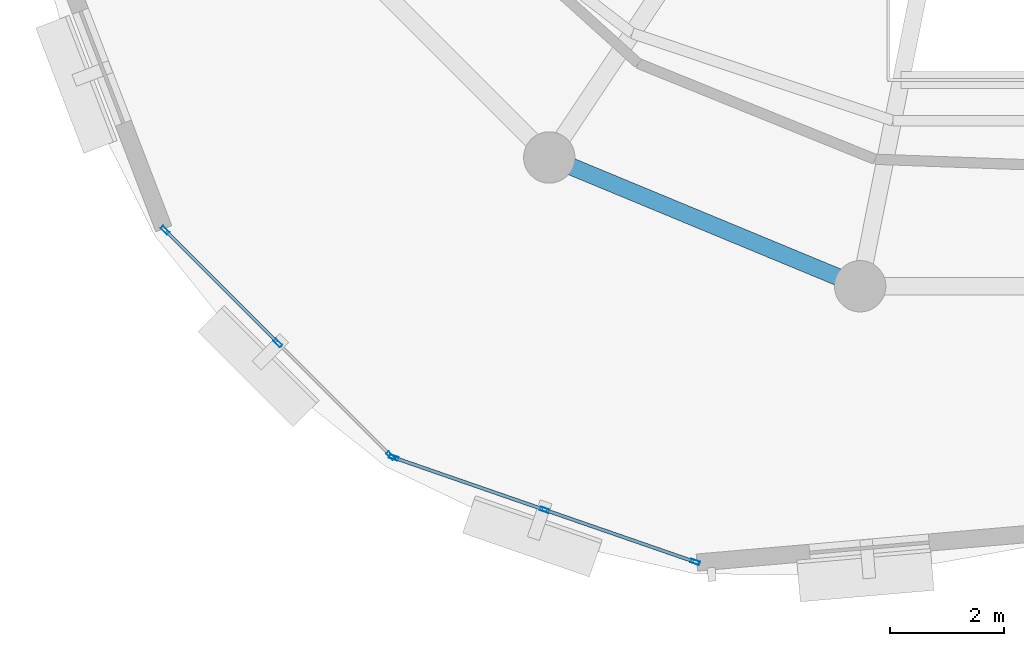
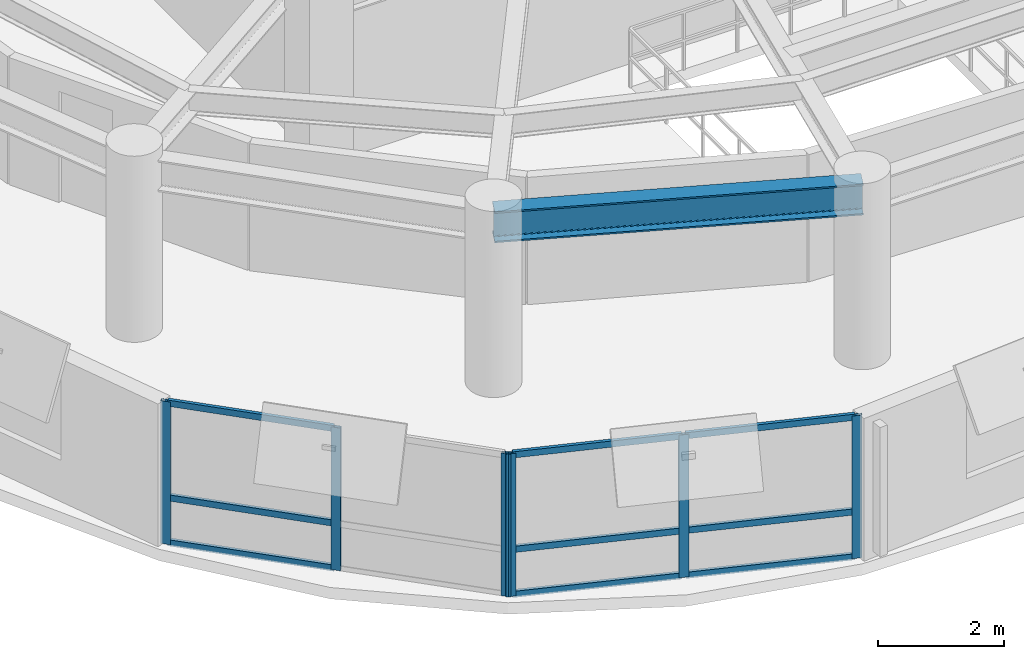
# One storey, part 2 of 11: 15 members, 1 beam, 2 elements without a shape of their own.
"""IFC4 building model written with IfcOpenShell, lengths in metres."""

import ifcopenshell
import ifcopenshell.guid

model = None  # the IFC model being written
_history = None  # IfcOwnerHistory: only IFC2X3 demands one
_inside = {}  # id of a spatial element -> (the spatial element, [elements in it])
_under = {}  # id of a project, library or spatial element -> (it, [spatial elements below it])
_declared = {}  # id of a project -> (the project, [libraries it declares])
_typed = {}  # id of a type object -> (the type object, [elements of that type])
_made_of = {}  # id of a material, layer set ... -> (it, [elements and type objects made of it])


def new_model(schema):
    """Start an empty IFC model of exactly this schema.

    Asked for "IFC4X3", IfcOpenShell would pick the latest addendum, in which some entities
    have other attributes; the version numbers below select the first issue.
    IFC2X3 requires an IfcOwnerHistory on every rooted entity: one is made here for all.
    """
    global model, _history
    if schema == "IFC4X3":
        model = ifcopenshell.file(schema_version=(4, 3, 0, 0))
    else:
        model = ifcopenshell.file(schema=schema)
    _inside.clear()
    _under.clear()
    _declared.clear()
    _typed.clear()
    _made_of.clear()
    _history = None
    if model.schema == "IFC2X3":
        org = make("IfcOrganization", Name="unknown")
        user = make(
            "IfcPersonAndOrganization",
            ThePerson=make("IfcPerson", FamilyName="unknown"),
            TheOrganization=org,
        )
        app = make(
            "IfcApplication",
            ApplicationDeveloper=org,
            Version="unknown",
            ApplicationFullName="unknown",
            ApplicationIdentifier="unknown",
        )
        _history = make(
            "IfcOwnerHistory",
            OwningUser=user,
            OwningApplication=app,
            ChangeAction="ADDED",
            CreationDate=0,
        )
    return model


def make(cls, **values):
    """One entity of the class cls with the attributes given. An attribute that is None is left unset."""
    return model.create_entity(
        cls, **{name: value for name, value in values.items() if value is not None}
    )


def rooted(cls, **values):
    """An entity with a GlobalId (a new one), such as an element, a storey or a relation."""
    return make(cls, GlobalId=ifcopenshell.guid.new(), OwnerHistory=_history, **values)


def si_unit(unit_type, name, prefix=None):
    """IfcSIUnit, for example si_unit("LENGTHUNIT", "METRE", prefix="MILLI")."""
    return make("IfcSIUnit", UnitType=unit_type, Prefix=prefix, Name=name)


def assignment(units):
    """IfcUnitAssignment: the units of a project."""
    return None if units is None else make("IfcUnitAssignment", Units=units)


def point(xyz):
    """IfcCartesianPoint."""
    return None if xyz is None else make("IfcCartesianPoint", Coordinates=xyz)


def direction(xyz):
    """IfcDirection."""
    return None if xyz is None else make("IfcDirection", DirectionRatios=xyz)


def frame(location, z_axis=None, x_axis=None):
    """IfcAxis2Placement3D, a coordinate frame: its origin and axes. An axis left out is left unset."""
    return make(
        "IfcAxis2Placement3D",
        Location=point(location),
        Axis=direction(z_axis),
        RefDirection=direction(x_axis),
    )


def frame_2d(location, x_axis=None):
    """IfcAxis2Placement2D, a coordinate frame in the plane: its origin and x axis."""
    return make(
        "IfcAxis2Placement2D", Location=point(location), RefDirection=direction(x_axis)
    )


def origin():
    """The frame at (0, 0, 0) with its axes left unset."""
    return frame((0.0, 0.0, 0.0))


def origin_2d():
    """The frame at (0, 0) in the plane with its x axis left unset."""
    return frame_2d((0.0, 0.0))


def place(relative_to, where):
    """IfcLocalPlacement: puts the frame where relative to a parent placement (None: the world)."""
    return make(
        "IfcLocalPlacement", PlacementRelTo=relative_to, RelativePlacement=where
    )


def context(
    kind, dimensions, precision=None, world=None, true_north=None, identifier=None
):
    """IfcGeometricRepresentationContext, for example the 3D "Model" context."""
    return make(
        "IfcGeometricRepresentationContext",
        ContextIdentifier=identifier,
        ContextType=kind,
        CoordinateSpaceDimension=dimensions,
        Precision=precision,
        WorldCoordinateSystem=world,
        TrueNorth=true_north,
    )


def subcontext(parent, identifier, kind, view, scale=None):
    """IfcGeometricRepresentationSubContext, for example "Body" below "Model"."""
    return make(
        "IfcGeometricRepresentationSubContext",
        ContextIdentifier=identifier,
        ContextType=kind,
        ParentContext=parent,
        TargetScale=scale,
        TargetView=view,
    )


def project(units=None, contexts=None):
    """IfcProject with its units and contexts."""
    return rooted(
        "IfcProject",
        Name="project",
        RepresentationContexts=contexts,
        UnitsInContext=assignment(units),
    )


def spatial(cls, under=None, at=None, **own):
    """A site, building, storey or space (cls), placed at a placement, below another one or the project."""
    s = rooted(cls, ObjectPlacement=at, **own)
    if under is not None:
        _under.setdefault(under.id(), (under, []))[1].append(s)
    return s


def profile(cls, at=None, kind="AREA", **sizes):
    """A parametric profile (cls). Its sizes go by their IFC names, for example OverallWidth=200.0."""
    return make(cls, ProfileType=kind, Position=at, **sizes)


def hollow_rectangle(**sizes):
    """IfcRectangleHollowProfileDef."""
    return profile("IfcRectangleHollowProfileDef", **sizes)


def i_section(**sizes):
    """IfcIShapeProfileDef."""
    return profile("IfcIShapeProfileDef", **sizes)


def extrude(swept, where, along, depth):
    """IfcExtrudedAreaSolid: the profile swept, set in the frame where, extruded along a direction by depth."""
    return make(
        "IfcExtrudedAreaSolid",
        SweptArea=swept,
        Position=where,
        ExtrudedDirection=direction(along),
        Depth=depth,
    )


def shape(context_of_items, identifier, shape_type, items):
    """IfcShapeRepresentation: the items that make up one representation, for example the "Body"."""
    return make(
        "IfcShapeRepresentation",
        ContextOfItems=context_of_items,
        RepresentationIdentifier=identifier,
        RepresentationType=shape_type,
        Items=items,
    )


def material(Name=None, Category=None):
    """IfcMaterial."""
    return make("IfcMaterial", Name=Name, Category=Category)


def layer(
    of_material, thickness, ventilated=None, Name=None, Category=None, Priority=None
):
    """IfcMaterialLayer: one layer of a wall or slab, of a material (None: an air gap)."""
    return make(
        "IfcMaterialLayer",
        Material=of_material,
        LayerThickness=thickness,
        IsVentilated=ventilated,
        Name=Name,
        Category=Category,
        Priority=Priority,
    )


def layer_set(layers, Name=None):
    """IfcMaterialLayerSet."""
    return make("IfcMaterialLayerSet", MaterialLayers=layers, LayerSetName=Name)


def material_profile(
    of_material, cross_section, Name=None, Category=None, Priority=None
):
    """IfcMaterialProfile: a cross section and its material."""
    return make(
        "IfcMaterialProfile",
        Name=Name,
        Material=of_material,
        Profile=cross_section,
        Priority=Priority,
        Category=Category,
    )


def profile_set(profiles, Name=None, composite=None):
    """IfcMaterialProfileSet."""
    return make(
        "IfcMaterialProfileSet",
        Name=Name,
        MaterialProfiles=profiles,
        CompositeProfile=composite,
    )


def made_of(thing, what):
    """Note that an element or type object is made of a material, layer set ...; save() writes the relation."""
    if what is not None:
        _made_of.setdefault(what.id(), (what, []))[1].append(thing)
    return thing


def type_object(cls, material=None, **own):
    """A type object (cls), such as IfcWallType, which elements share."""
    return made_of(rooted(cls, **own), material)


def element(
    cls,
    number,
    at=None,
    inside=None,
    cuts=None,
    type_object=None,
    material=None,
    context=None,
    identifier="Body",
    shape_type=None,
    held_by="IfcProductDefinitionShape",
    body=None,
    shapes=None,
    **own,
):
    """One element of the class cls, such as IfcWall. Its Tag is "e" and its number.

    at: its placement. inside: the storey or other place that contains it. cuts: it is an
    opening in that element (IfcRelVoidsElement). A single representation is given by context,
    identifier, shape_type and body (its items); several are given by shapes. held_by: the class
    of the entity that holds the representations. save() writes the other relations.
    """
    e = rooted(cls, Tag="e%d" % number, ObjectPlacement=at, **own)
    if body is not None:
        shapes = [shape(context, identifier, shape_type, body)]
    if shapes is not None:
        e.Representation = make(held_by, Representations=shapes)
    if inside is not None:
        _inside.setdefault(inside.id(), (inside, []))[1].append(e)
    if cuts is not None:
        rooted(
            "IfcRelVoidsElement", RelatingBuildingElement=cuts, RelatedOpeningElement=e
        )
    if type_object is not None:
        _typed.setdefault(type_object.id(), (type_object, []))[1].append(e)
    return made_of(e, material)


def aggregate(whole, parts):
    """IfcRelAggregates: a whole, such as a stair, and the parts it consists of."""
    return rooted("IfcRelAggregates", RelatingObject=whole, RelatedObjects=parts)


def save(model, path):
    """Write the relations noted so far, then the file.

    IfcRelAggregates (storeys below a building ...), IfcRelContainedInSpatialStructure (elements
    in a storey), IfcRelDefinesByType, IfcRelAssociatesMaterial and IfcRelDeclares: one each for
    every whole, place, type object, material and project.
    """
    for whole, parts in _under.values():
        aggregate(whole, parts)
    for where, things in _inside.values():
        rooted(
            "IfcRelContainedInSpatialStructure",
            RelatedElements=things,
            RelatingStructure=where,
        )
    for kind, things in _typed.values():
        rooted("IfcRelDefinesByType", RelatedObjects=things, RelatingType=kind)
    for what, things in _made_of.values():
        rooted("IfcRelAssociatesMaterial", RelatedObjects=things, RelatingMaterial=what)
    for by, libraries in _declared.values():
        rooted("IfcRelDeclares", RelatingContext=by, RelatedDefinitions=libraries)
    model.write(path)


model = new_model("IFC4")

# Units and contexts
model_context = context("Model", 3, precision=1e-05, world=origin(), true_north=direction((0.0, 1.0)))
body_context = subcontext(model_context, "Body", "Model", "MODEL_VIEW")
ifc_project = project(units=[si_unit("LENGTHUNIT", "METRE"), si_unit("AREAUNIT", "SQUARE_METRE"), si_unit("VOLUMEUNIT", "CUBIC_METRE"), si_unit("PLANEANGLEUNIT", "RADIAN"), si_unit("MASSUNIT", "GRAM", prefix="KILO"), si_unit("THERMODYNAMICTEMPERATUREUNIT", "KELVIN"), si_unit("POWERUNIT", "WATT")], contexts=[model_context])

# Site, building, storey
site_placement = place(None, origin())
site = spatial("IfcSite", under=ifc_project, at=site_placement, CompositionType="ELEMENT")
building_placement = place(site_placement, origin())
building = spatial("IfcBuilding", under=site, at=building_placement, Name="Ocrelia Relay Tower", CompositionType="ELEMENT")
storey_placement = place(building_placement, frame((0.0, 0.0, 270.0)))
storey = spatial("IfcBuildingStorey", under=building, at=storey_placement, Name="L67", CompositionType="ELEMENT", Elevation=270.0)

# Beam
ifc_material_1 = material(Name="Steel S355", Category="steel")
ifc_material_profile_1 = material_profile(ifc_material_1, i_section(OverallWidth=0.300048828125, OverallDepth=0.60009765625, WebThickness=0.015380859375, FlangeThickness=0.030029296875, FilletRadius=0.027099609375, at=origin_2d()), Name="HEB 600")
ifc_profile_set_1 = profile_set([ifc_material_profile_1], Name="Steel S355")
beam_type = type_object("IfcBeamType", Name="BM-HEB600", PredefinedType="BEAM", material=ifc_profile_set_1)
beam_placement = place(storey_placement, frame((25.61083984375, 13.44482421875, 3.080078125), z_axis=(0.923884009374, -0.382672624084, 0.0), x_axis=(0.382672624084, 0.923884009374, 0.0)))
element("IfcBeam", 1, at=beam_placement, inside=storey, type_object=beam_type, Name="L67 Perimeter Spandrel Beam S11", PredefinedType="BEAM", context=body_context, shape_type="SweptSolid", body=[
    extrude(i_section(OverallWidth=0.300048828125, OverallDepth=0.60009765625, WebThickness=0.015380859375, FlangeThickness=0.030029296875, FilletRadius=0.027099609375, at=origin_2d()), origin(), (0.0, 0.0, 1.0), 5.891845703125),
])

# Curtain wall, members
ifc_material_2 = material(Name="Aluminium and solar-control low-E glass", Category="aluminium")
ifc_layer = layer(ifc_material_2, 0.179931640625, Name="Aluminium and solar-control low-E glass")
ifc_layer_set = layer_set([ifc_layer], Name="Aluminium and solar-control low-E glass")
curtain_wall_type = type_object("IfcCurtainWallType", Name="CW-SYS-Z4-EXEC", PredefinedType="NOTDEFINED", material=ifc_layer_set)
curtain_wall_1_placement = place(storey_placement, origin())
curtain_wall_1 = element("IfcCurtainWall", 2, at=curtain_wall_1_placement, inside=storey, type_object=curtain_wall_type, Name="L67 Elliptical Tower Curtain Wall Bay 09", PredefinedType="NOTDEFINED")
ifc_material_3 = material(Name="Anodised bronze aluminium", Category="aluminium")
ifc_material_profile_2 = material_profile(ifc_material_3, hollow_rectangle(XDim=0.06494140625, YDim=0.159912109375, WallThickness=0.0048828125, at=origin_2d()), Name="CW-MUL-160x65")
ifc_profile_set_2 = profile_set([ifc_material_profile_2], Name="Anodised bronze aluminium")
member_type_1 = type_object("IfcMemberType", Name="CW-SYS-Z4-EXEC-MUL", PredefinedType="MULLION", material=ifc_profile_set_2)
member_1_placement = place(storey_placement, frame((18.884033203125, 12.17333984375, 0.0), z_axis=(0.0, 0.0, 1.0), x_axis=(0.707133328049, 0.707080233327, 0.0)))
member_1 = element("IfcMember", 3, at=member_1_placement, type_object=member_type_1, Name="CW-Z4 mullion 1", PredefinedType="MULLION", context=body_context, shape_type="SweptSolid", body=[
    extrude(hollow_rectangle(XDim=0.06494140625, YDim=0.159912109375, WallThickness=0.0048828125, at=origin_2d()), origin(), (0.0, 0.0, 1.0), 2.760009765625),
])
member_2_placement = place(storey_placement, frame((20.858642578125, 10.198486328125, 0.0), z_axis=(0.0, 0.0, 1.0), x_axis=(0.707133328049, 0.707080233327, 0.0)))
member_2 = element("IfcMember", 4, at=member_2_placement, type_object=member_type_1, Name="CW-Z4 mullion 2", PredefinedType="MULLION", context=body_context, shape_type="SweptSolid", body=[
    extrude(hollow_rectangle(XDim=0.06494140625, YDim=0.159912109375, WallThickness=0.0048828125, at=origin_2d()), origin(), (0.0, 0.0, 1.0), 2.760009765625),
])
member_3_placement = place(storey_placement, frame((22.833251953125, 8.2236328125, 0.0), z_axis=(0.0, 0.0, 1.0), x_axis=(0.707133328049, 0.707080233327, 0.0)))
member_3 = element("IfcMember", 5, at=member_3_placement, type_object=member_type_1, Name="CW-Z4 mullion 3", PredefinedType="MULLION", context=body_context, shape_type="SweptSolid", body=[
    extrude(hollow_rectangle(XDim=0.06494140625, YDim=0.159912109375, WallThickness=0.0048828125, at=origin_2d()), origin(), (0.0, 0.0, 1.0), 2.760009765625),
])

curtain_wall_2_placement = place(storey_placement, origin())
curtain_wall_2 = element("IfcCurtainWall", 6, at=curtain_wall_2_placement, inside=storey, type_object=curtain_wall_type, Name="L67 Elliptical Tower Curtain Wall Bay 10", PredefinedType="NOTDEFINED")
member_4_placement = place(storey_placement, frame((22.886962890625, 8.190185546875, 0.0), z_axis=(0.0, 0.0, 1.0), x_axis=(0.327186545839, 0.944959768573, 0.0)))
member_4 = element("IfcMember", 7, at=member_4_placement, type_object=member_type_1, Name="CW-Z4 mullion 1", PredefinedType="MULLION", context=body_context, shape_type="SweptSolid", body=[
    extrude(hollow_rectangle(XDim=0.06494140625, YDim=0.159912109375, WallThickness=0.0048828125, at=origin_2d()), origin(), (0.0, 0.0, 1.0), 2.760009765625),
])
member_5_placement = place(storey_placement, frame((25.52587890625, 7.2763671875, 0.0), z_axis=(0.0, 0.0, 1.0), x_axis=(0.327186545839, 0.944959768573, 0.0)))
member_5 = element("IfcMember", 8, at=member_5_placement, type_object=member_type_1, Name="CW-Z4 mullion 2", PredefinedType="MULLION", context=body_context, shape_type="SweptSolid", body=[
    extrude(hollow_rectangle(XDim=0.06494140625, YDim=0.159912109375, WallThickness=0.0048828125, at=origin_2d()), origin(), (0.0, 0.0, 1.0), 2.760009765625),
])
member_6_placement = place(storey_placement, frame((28.164794921875, 6.362548828125, 0.0), z_axis=(0.0, 0.0, 1.0), x_axis=(0.327186545839, 0.944959768573, 0.0)))
member_6 = element("IfcMember", 9, at=member_6_placement, type_object=member_type_1, Name="CW-Z4 mullion 3", PredefinedType="MULLION", context=body_context, shape_type="SweptSolid", body=[
    extrude(hollow_rectangle(XDim=0.06494140625, YDim=0.159912109375, WallThickness=0.0048828125, at=origin_2d()), origin(), (0.0, 0.0, 1.0), 2.760009765625),
])

# Member
ifc_material_profile_3 = material_profile(ifc_material_3, hollow_rectangle(XDim=0.06005859375, YDim=0.1201171875, WallThickness=0.0048828125, at=origin_2d()), Name="CW-TRN-120x60")
ifc_profile_set_3 = profile_set([ifc_material_profile_3], Name="Anodised bronze aluminium")
member_type_2 = type_object("IfcMemberType", Name="CW-SYS-Z4-EXEC-TRN", PredefinedType="USERDEFINED", material=ifc_profile_set_3)
member_7_placement = place(storey_placement, frame((18.906982421875, 12.150146484375, 0.030029296875), z_axis=(0.707106781187, -0.707106781187, 0.0), x_axis=(0.707106781187, 0.707106781187, 0.0)))
member_7 = element("IfcMember", 10, at=member_7_placement, type_object=member_type_2, Name="CW-Z4 transom 1.1", ObjectType="TRANSOM", PredefinedType="USERDEFINED", context=body_context, shape_type="SweptSolid", body=[
    extrude(hollow_rectangle(XDim=0.06005859375, YDim=0.1201171875, WallThickness=0.0048828125, at=origin_2d()), origin(), (0.0, 0.0, 1.0), 2.7275390625),
])

member_8_placement = place(storey_placement, frame((18.906982421875, 12.150146484375, 0.89990234375), z_axis=(0.707106781187, -0.707106781187, 0.0), x_axis=(0.707106781187, 0.707106781187, 0.0)))
member_8 = element("IfcMember", 11, at=member_8_placement, type_object=member_type_2, Name="CW-Z4 transom 1.2", ObjectType="TRANSOM", PredefinedType="USERDEFINED", context=body_context, shape_type="SweptSolid", body=[
    extrude(hollow_rectangle(XDim=0.06005859375, YDim=0.1201171875, WallThickness=0.0048828125, at=origin_2d()), origin(), (0.0, 0.0, 1.0), 2.7275390625),
])

member_9_placement = place(storey_placement, frame((18.906982421875, 12.150146484375, 2.72998046875), z_axis=(0.707106781187, -0.707106781187, 0.0), x_axis=(0.707106781187, 0.707106781187, 0.0)))
member_9 = element("IfcMember", 12, at=member_9_placement, type_object=member_type_2, Name="CW-Z4 transom 1.3", ObjectType="TRANSOM", PredefinedType="USERDEFINED", context=body_context, shape_type="SweptSolid", body=[
    extrude(hollow_rectangle(XDim=0.06005859375, YDim=0.1201171875, WallThickness=0.0048828125, at=origin_2d()), origin(), (0.0, 0.0, 1.0), 2.7275390625),
])

aggregate(curtain_wall_1, [member_1, member_2, member_3, member_7, member_8, member_9])

member_10_placement = place(storey_placement, frame((22.917724609375, 8.179443359375, 0.030029296875), z_axis=(0.94494030494, -0.327242754084, 0.0), x_axis=(0.327242754084, 0.94494030494, 0.0)))
member_10 = element("IfcMember", 13, at=member_10_placement, type_object=member_type_2, Name="CW-Z4 transom 1.1", ObjectType="TRANSOM", PredefinedType="USERDEFINED", context=body_context, shape_type="SweptSolid", body=[
    extrude(hollow_rectangle(XDim=0.06005859375, YDim=0.1201171875, WallThickness=0.0048828125, at=origin_2d()), origin(), (0.0, 0.0, 1.0), 2.7275390625),
])

member_11_placement = place(storey_placement, frame((22.917724609375, 8.179443359375, 0.89990234375), z_axis=(0.94494030494, -0.327242754084, 0.0), x_axis=(0.327242754084, 0.94494030494, 0.0)))
member_11 = element("IfcMember", 14, at=member_11_placement, type_object=member_type_2, Name="CW-Z4 transom 1.2", ObjectType="TRANSOM", PredefinedType="USERDEFINED", context=body_context, shape_type="SweptSolid", body=[
    extrude(hollow_rectangle(XDim=0.06005859375, YDim=0.1201171875, WallThickness=0.0048828125, at=origin_2d()), origin(), (0.0, 0.0, 1.0), 2.7275390625),
])

member_12_placement = place(storey_placement, frame((22.917724609375, 8.179443359375, 2.72998046875), z_axis=(0.94494030494, -0.327242754084, 0.0), x_axis=(0.327242754084, 0.94494030494, 0.0)))
member_12 = element("IfcMember", 15, at=member_12_placement, type_object=member_type_2, Name="CW-Z4 transom 1.3", ObjectType="TRANSOM", PredefinedType="USERDEFINED", context=body_context, shape_type="SweptSolid", body=[
    extrude(hollow_rectangle(XDim=0.06005859375, YDim=0.1201171875, WallThickness=0.0048828125, at=origin_2d()), origin(), (0.0, 0.0, 1.0), 2.7275390625),
])

member_13_placement = place(storey_placement, frame((25.556640625, 7.265625, 0.030029296875), z_axis=(0.944967980597, -0.327162827421, 0.0), x_axis=(0.327162827421, 0.944967980597, 0.0)))
member_13 = element("IfcMember", 16, at=member_13_placement, type_object=member_type_2, Name="CW-Z4 transom 2.1", ObjectType="TRANSOM", PredefinedType="USERDEFINED", context=body_context, shape_type="SweptSolid", body=[
    extrude(hollow_rectangle(XDim=0.06005859375, YDim=0.1201171875, WallThickness=0.0048828125, at=origin_2d()), origin(), (0.0, 0.0, 1.0), 2.7275390625),
])

member_14_placement = place(storey_placement, frame((25.556640625, 7.265625, 0.89990234375), z_axis=(0.944967980597, -0.327162827421, 0.0), x_axis=(0.327162827421, 0.944967980597, 0.0)))
member_14 = element("IfcMember", 17, at=member_14_placement, type_object=member_type_2, Name="CW-Z4 transom 2.2", ObjectType="TRANSOM", PredefinedType="USERDEFINED", context=body_context, shape_type="SweptSolid", body=[
    extrude(hollow_rectangle(XDim=0.06005859375, YDim=0.1201171875, WallThickness=0.0048828125, at=origin_2d()), origin(), (0.0, 0.0, 1.0), 2.7275390625),
])

member_15_placement = place(storey_placement, frame((25.556640625, 7.265625, 2.72998046875), z_axis=(0.944967980597, -0.327162827421, 0.0), x_axis=(0.327162827421, 0.944967980597, 0.0)))
member_15 = element("IfcMember", 18, at=member_15_placement, type_object=member_type_2, Name="CW-Z4 transom 2.3", ObjectType="TRANSOM", PredefinedType="USERDEFINED", context=body_context, shape_type="SweptSolid", body=[
    extrude(hollow_rectangle(XDim=0.06005859375, YDim=0.1201171875, WallThickness=0.0048828125, at=origin_2d()), origin(), (0.0, 0.0, 1.0), 2.7275390625),
])

aggregate(curtain_wall_2, [member_4, member_5, member_6, member_10, member_11, member_12, member_13, member_14, member_15])

save(model, "model.ifc")
